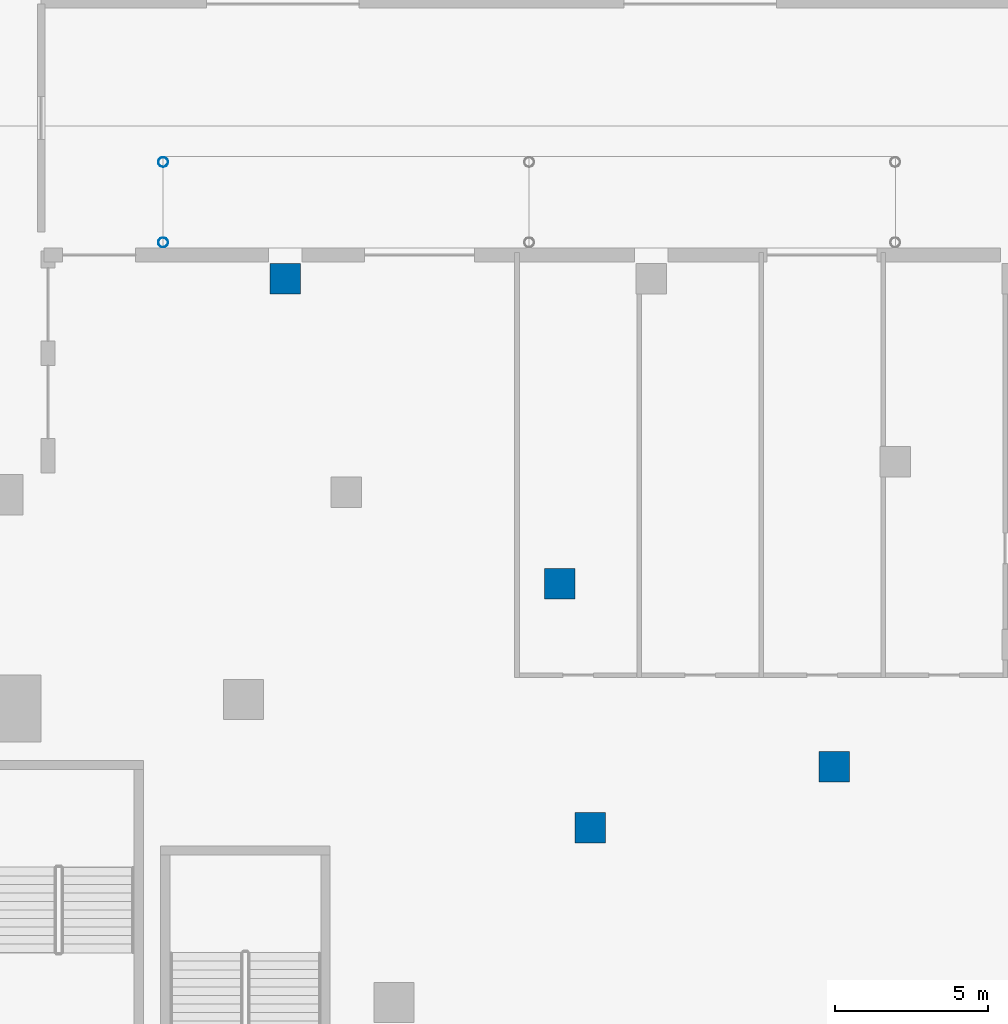
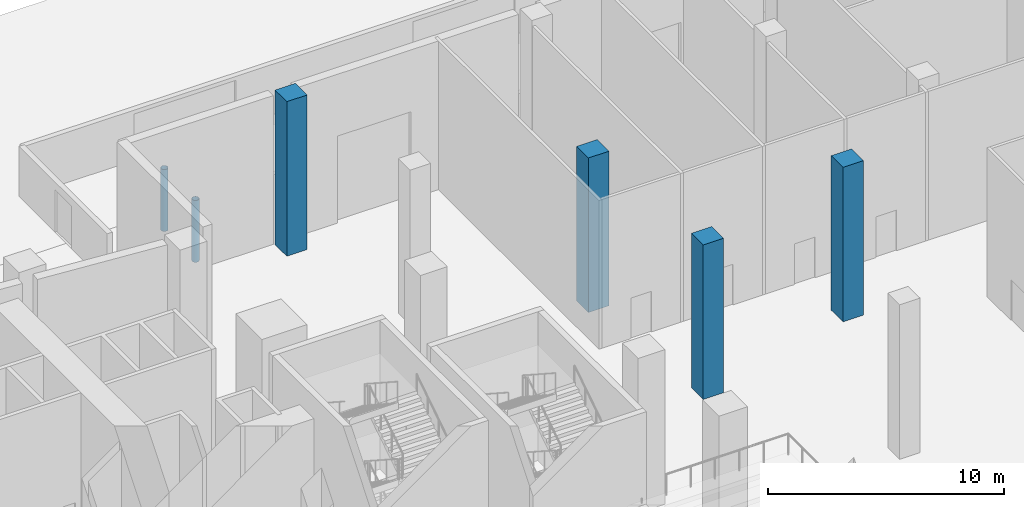
# One storey, part 13 of 41: 6 columns.
"""IFC4 building model written with IfcOpenShell, lengths in metres."""

from ifc_helpers import new_model, si_unit, direction, frame, origin, origin_2d, place, context, subcontext, project, spatial, rectangle, hollow_circle, extrude, material, material_profile, profile_set, type_object, element, save


model = new_model("IFC4")

# Units and contexts
model_context = context("Model", 3, precision=1e-05, world=origin(), true_north=direction((0.0, 1.0)))
body_context = subcontext(model_context, "Body", "Model", "MODEL_VIEW")
ifc_project = project(units=[si_unit("LENGTHUNIT", "METRE"), si_unit("AREAUNIT", "SQUARE_METRE"), si_unit("VOLUMEUNIT", "CUBIC_METRE"), si_unit("PLANEANGLEUNIT", "RADIAN"), si_unit("MASSUNIT", "GRAM", prefix="KILO")], contexts=[model_context])

# Site, building, storey
site_placement = place(None, origin())
site = spatial("IfcSite", under=ifc_project, at=site_placement, CompositionType="ELEMENT")
building_placement = place(site_placement, origin())
building = spatial("IfcBuilding", under=site, at=building_placement, Name="Wharfspan Tower", CompositionType="ELEMENT")
storey_placement = place(building_placement, origin())
storey = spatial("IfcBuildingStorey", under=building, at=storey_placement, Name="L00", CompositionType="ELEMENT", Elevation=0.0)

# Columns
ifc_material_1 = material(Name="Steel S355J2", Category="steel")
ifc_material_profile_1 = material_profile(ifc_material_1, hollow_circle(Radius=0.161865, WallThickness=0.01001, at=origin_2d()))
ifc_profile_set_1 = profile_set([ifc_material_profile_1], Name="Steel S355J2")
column_type_1 = type_object("IfcColumnType", Name="Canopy post CHS 323.9x10", PredefinedType="COLUMN", material=ifc_profile_set_1)
for number, where, z_axis, x_axis, name in (
    (1, (72.0, 58.818115, 0.0), (0.0, 0.0, 1.0), (1.0, 0.0, 0.0), "Canopy post"),
    (2, (72.0, 56.181885, 0.0), (0.0, 0.0, 1.0), (1.0, 0.0, 0.0), "Canopy post"),
):
    element("IfcColumn", number, at=place(storey_placement, frame(where, z_axis=z_axis, x_axis=x_axis)), inside=storey, type_object=column_type_1, Name=name, PredefinedType="COLUMN", context=body_context, shape_type="SweptSolid", body=[
        extrude(hollow_circle(Radius=0.161865, WallThickness=0.01001, at=origin_2d()), origin(), (0.0, 0.0, 1.0), 3.199951),
    ])
ifc_material_2 = material(Name="Concrete C60/75", Category="concrete")
ifc_material_profile_2 = material_profile(ifc_material_2, rectangle(XDim=1.0, YDim=1.0, at=origin_2d()))
ifc_profile_set_2 = profile_set([ifc_material_profile_2], Name="Concrete C60/75")
column_type_2 = type_object("IfcColumnType", Name="Concrete column 1000 square", PredefinedType="COLUMN", material=ifc_profile_set_2)
for number, where, z_axis, x_axis, name in (
    (3, (94.0, 39.0, 0.0), (0.0, 0.0, 1.0), (1.0, 0.0, 0.0), "Column D.8"),
    (4, (76.0, 55.0, 0.0), (0.0, 0.0, 1.0), (1.0, 0.0, 0.0), "Column D.18"),
    (5, (85.0, 45.0, 0.0), (0.0, 0.0, 1.0), (1.0, 0.0, 0.0), "Column D.22"),
    (6, (86.0, 37.0, 0.0), (0.0, 0.0, 1.0), (1.0, 0.0, 0.0), "Column D.44"),
):
    element("IfcColumn", number, at=place(storey_placement, frame(where, z_axis=z_axis, x_axis=x_axis)), inside=storey, type_object=column_type_2, Name=name, PredefinedType="COLUMN", context=body_context, shape_type="SweptSolid", body=[
        extrude(rectangle(XDim=1.0, YDim=1.0, at=origin_2d()), origin(), (0.0, 0.0, 1.0), 8.0),
    ])

save(model, "model.ifc")
